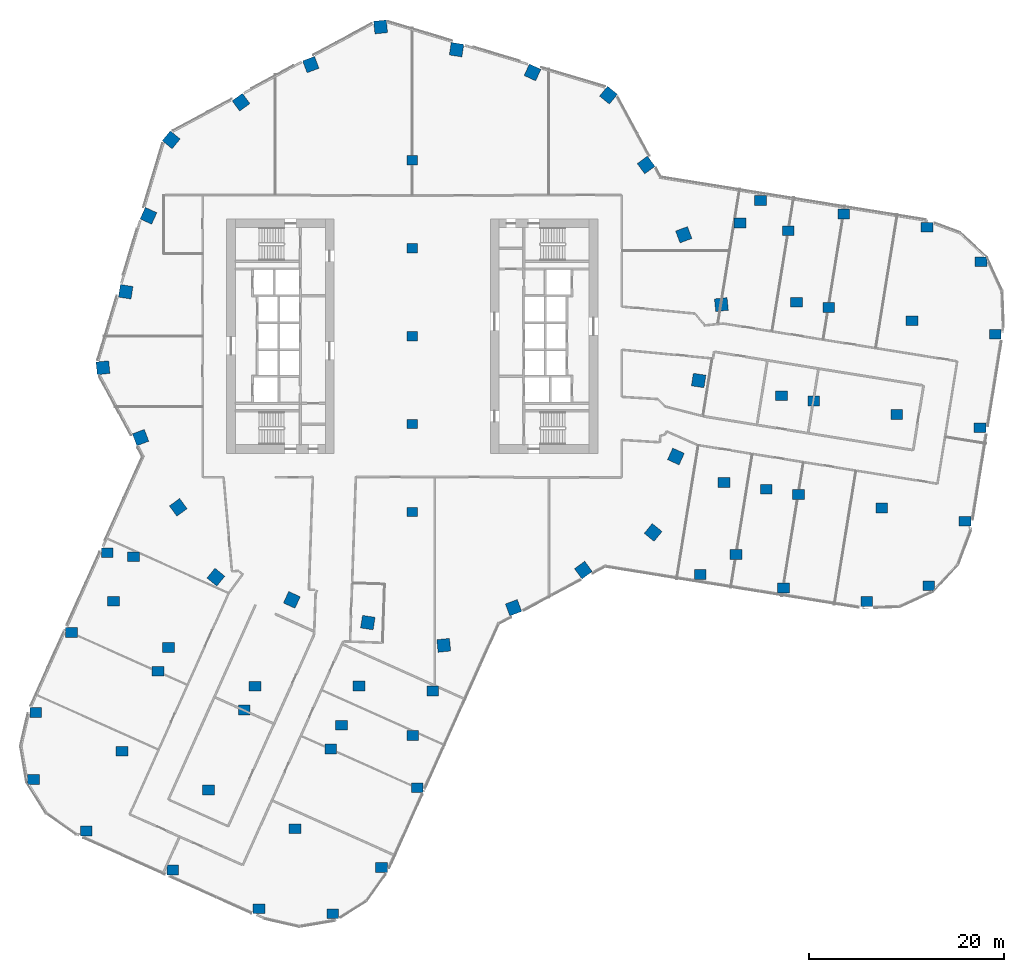
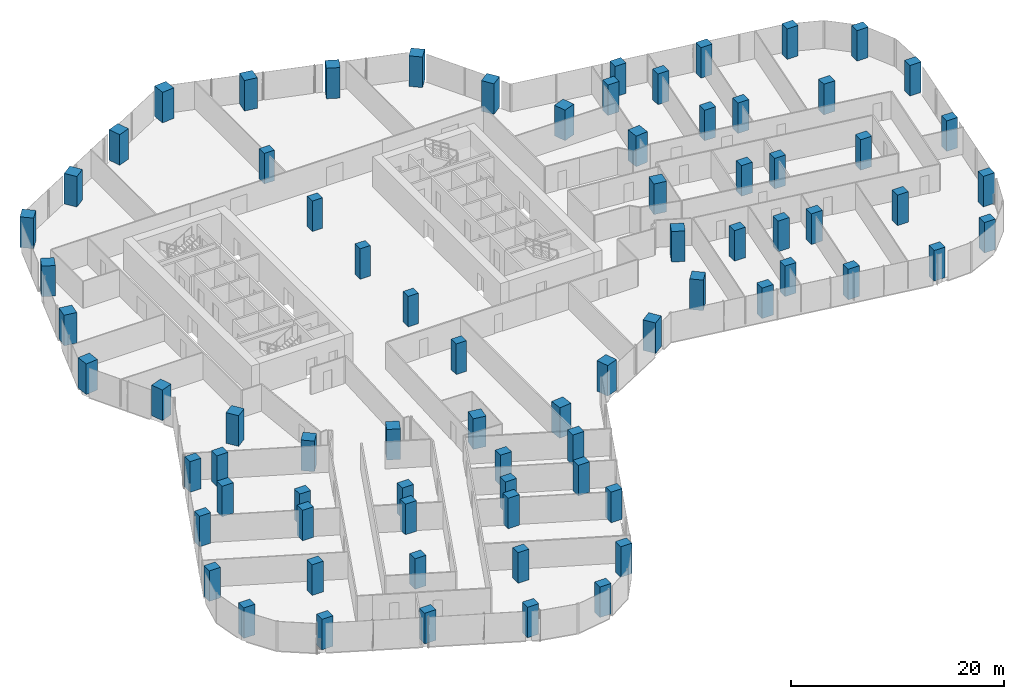
# One storey, part 1 of 34: 77 columns.
"""IFC4 building model written with IfcOpenShell, lengths in metres."""

from ifc_helpers import new_model, si_unit, direction, frame, origin, origin_2d, place, context, subcontext, project, spatial, rectangle, extrude, material, material_profile, profile_set, type_object, element, save


model = new_model("IFC4")

# Units and contexts
model_context = context("Model", 3, precision=1e-05, world=origin(), true_north=direction((0.0, 1.0)))
body_context = subcontext(model_context, "Body", "Model", "MODEL_VIEW")
ifc_project = project(units=[si_unit("LENGTHUNIT", "METRE"), si_unit("AREAUNIT", "SQUARE_METRE"), si_unit("VOLUMEUNIT", "CUBIC_METRE"), si_unit("PLANEANGLEUNIT", "RADIAN"), si_unit("MASSUNIT", "GRAM", prefix="KILO")], contexts=[model_context])

# Site, building, storey
site_placement = place(None, origin())
site = spatial("IfcSite", under=ifc_project, at=site_placement, CompositionType="ELEMENT")
building_placement = place(site_placement, origin())
building = spatial("IfcBuilding", under=site, at=building_placement, Name="Orlundy Tower", CompositionType="ELEMENT")
storey_placement = place(building_placement, frame((0.0, 0.0, 127.199951171875)))
storey = spatial("IfcBuildingStorey", under=building, at=storey_placement, Name="L32", CompositionType="ELEMENT", Elevation=127.199951171875)

# Columns
ifc_material_1 = material(Name="Concrete C80/95", Category="concrete")
ifc_material_profile_1 = material_profile(ifc_material_1, rectangle(XDim=1.10009765625, YDim=0.949951171875, at=origin_2d()), Name="RC1100X950")
ifc_profile_set_1 = profile_set([ifc_material_profile_1], Name="Concrete C80/95")
column_type_1 = type_object("IfcColumnType", Name="RC COLUMN RC1100X950 C80/95", PredefinedType="COLUMN", material=ifc_profile_set_1)
for number, where, z_axis, x_axis, name in (
    (1, (0.0, -18.0, 0.0), (0.0, 0.0, 1.0), (1.0, 0.0, 0.0), "Column C-M1 L32"),
    (2, (0.0, -9.0, 0.0), (0.0, 0.0, 1.0), (1.0, 0.0, 0.0), "Column C-M2 L32"),
    (3, (0.0, 0.0, 0.0), (0.0, 0.0, 1.0), (1.0, 0.0, 0.0), "Column C-M3 L32"),
    (4, (0.0, 9.0, 0.0), (0.0, 0.0, 1.0), (1.0, 0.0, 0.0), "Column C-M4 L32"),
    (5, (0.0, 18.0, 0.0), (0.0, 0.0, 1.0), (1.0, 0.0, 0.0), "Column C-M5 L32"),
):
    element("IfcColumn", number, at=place(storey_placement, frame(where, z_axis=z_axis, x_axis=x_axis)), inside=storey, type_object=column_type_1, Name=name, PredefinedType="COLUMN", context=body_context, shape_type="SweptSolid", body=[
        extrude(rectangle(XDim=1.10009765625, YDim=0.949951171875, at=origin_2d()), origin(), (0.0, 0.0, 1.0), 3.5),
    ])
ifc_material_2 = material(Name="Concrete C80/95", Category="concrete")
ifc_material_profile_2 = material_profile(ifc_material_2, rectangle(XDim=1.199951171875, YDim=1.0, at=origin_2d()), Name="RC1200X1000")
ifc_profile_set_2 = profile_set([ifc_material_profile_2], Name="Concrete C80/95")
column_type_2 = type_object("IfcColumnType", Name="RC COLUMN RC1200X1000 C80/95", PredefinedType="COLUMN", material=ifc_profile_set_2)
for number, where, z_axis, x_axis, name in (
    (6, (29.488037109375, -24.408935546875, 0.0), (0.0, 0.0, 1.0), (1.0, 0.0, 0.0), "Column C-A1-1 L32"),
    (7, (38.010986328125, -25.784912109375, 0.0), (0.0, 0.0, 1.0), (1.0, 0.0, 0.0), "Column C-A1-2 L32"),
    (8, (46.534912109375, -27.156005859375, 0.0), (0.0, 0.0, 1.0), (1.0, 0.0, 0.0), "Column C-A1-3 L32"),
    (9, (52.89892578125, -25.547119140625, 0.0), (0.0, 0.0, 1.0), (1.0, 0.0, 0.0), "Column C-A1-5 L32"),
    (10, (33.154052734375, -22.361083984375, 0.0), (0.0, 0.0, 1.0), (1.0, 0.0, 0.0), "Column C-A1-6 L32"),
    (11, (39.555908203125, -16.208984375, 0.0), (0.0, 0.0, 1.0), (1.0, 0.0, 0.0), "Column C-A2-2 L32"),
    (12, (48.0791015625, -17.583984375, 0.0), (0.0, 0.0, 1.0), (1.0, 0.0, 0.0), "Column C-A2-3 L32"),
    (13, (56.60302734375, -18.958984375, 0.0), (0.0, 0.0, 1.0), (1.0, 0.0, 0.0), "Column C-A2-5 L32"),
    (14, (36.26611328125, -15.677978515625, 0.0), (0.0, 0.0, 1.0), (1.0, 0.0, 0.0), "Column C-A2-6 L32"),
    (15, (31.922119140625, -14.97705078125, 0.0), (0.0, 0.0, 1.0), (1.0, 0.0, 0.0), "Column C-A2-7 L32"),
    (16, (41.10205078125, -6.632080078125, 0.0), (0.0, 0.0, 1.0), (1.0, 0.0, 0.0), "Column C-A3-2 L32"),
    (17, (49.625, -8.008056640625, 0.0), (0.0, 0.0, 1.0), (1.0, 0.0, 0.0), "Column C-A3-3 L32"),
    (18, (58.14794921875, -9.383056640625, 0.0), (0.0, 0.0, 1.0), (1.0, 0.0, 0.0), "Column C-A3-5 L32"),
    (19, (37.81103515625, -6.10107421875, 0.0), (0.0, 0.0, 1.0), (1.0, 0.0, 0.0), "Column C-A3-6 L32"),
    (20, (42.64697265625, 2.944091796875, 0.0), (0.0, 0.0, 1.0), (1.0, 0.0, 0.0), "Column C-A4-2 L32"),
    (21, (51.169921875, 1.568115234375, 0.0), (0.0, 0.0, 1.0), (1.0, 0.0, 0.0), "Column C-A4-3 L32"),
    (22, (59.693115234375, 0.193115234375, 0.0), (0.0, 0.0, 1.0), (1.0, 0.0, 0.0), "Column C-A4-5 L32"),
    (23, (39.35595703125, 3.47509765625, 0.0), (0.0, 0.0, 1.0), (1.0, 0.0, 0.0), "Column C-A4-6 L32"),
    (24, (35.6689453125, 13.89501953125, 0.0), (0.0, 0.0, 1.0), (1.0, 0.0, 0.0), "Column C-A5-1 L32"),
    (25, (44.19189453125, 12.52001953125, 0.0), (0.0, 0.0, 1.0), (1.0, 0.0, 0.0), "Column C-A5-2 L32"),
    (26, (52.715087890625, 11.139892578125, 0.0), (0.0, 0.0, 1.0), (1.0, 0.0, 0.0), "Column C-A5-3 L32"),
    (27, (58.25, 7.611083984375, 0.0), (0.0, 0.0, 1.0), (1.0, 0.0, 0.0), "Column C-A5-5 L32"),
    (28, (38.5048828125, 10.797119140625, 0.0), (0.0, 0.0, 1.0), (1.0, 0.0, 0.0), "Column C-A5-6 L32"),
    (29, (33.569091796875, 11.593994140625, 0.0), (0.0, 0.0, 1.0), (1.0, 0.0, 0.0), "Column C-A5-7 L32"),
    (30, (-31.2099609375, -22.166015625, 0.0), (0.0, 0.0, 1.0), (1.0, 0.0, 0.0), "Column C-B1-1 L32"),
    (31, (-34.881103515625, -30.345947265625, 0.0), (0.0, 0.0, 1.0), (1.0, 0.0, 0.0), "Column C-B1-2 L32"),
    (32, (-38.551025390625, -38.527099609375, 0.0), (0.0, 0.0, 1.0), (1.0, 0.0, 0.0), "Column C-B1-3 L32"),
    (33, (-38.777099609375, -45.39697265625, 0.0), (0.0, 0.0, 1.0), (1.0, 0.0, 0.0), "Column C-B1-5 L32"),
    (34, (-30.589111328125, -27.14990234375, 0.0), (0.0, 0.0, 1.0), (1.0, 0.0, 0.0), "Column C-B1-6 L32"),
    (35, (-28.5419921875, -22.587890625, 0.0), (0.0, 0.0, 1.0), (1.0, 0.0, 0.0), "Column C-B1-7 L32"),
    (36, (-26.031005859375, -34.318115234375, 0.0), (0.0, 0.0, 1.0), (1.0, 0.0, 0.0), "Column C-B2-2 L32"),
    (37, (-29.701904296875, -42.498046875, 0.0), (0.0, 0.0, 1.0), (1.0, 0.0, 0.0), "Column C-B2-3 L32"),
    (38, (-33.3720703125, -50.678955078125, 0.0), (0.0, 0.0, 1.0), (1.0, 0.0, 0.0), "Column C-B2-5 L32"),
    (39, (-24.93896484375, -31.885009765625, 0.0), (0.0, 0.0, 1.0), (1.0, 0.0, 0.0), "Column C-B2-6 L32"),
    (40, (-17.180908203125, -38.2890625, 0.0), (0.0, 0.0, 1.0), (1.0, 0.0, 0.0), "Column C-B3-2 L32"),
    (41, (-20.85205078125, -46.468994140625, 0.0), (0.0, 0.0, 1.0), (1.0, 0.0, 0.0), "Column C-B3-3 L32"),
    (42, (-24.52294921875, -54.64990234375, 0.0), (0.0, 0.0, 1.0), (1.0, 0.0, 0.0), "Column C-B3-5 L32"),
    (43, (-16.089111328125, -35.85595703125, 0.0), (0.0, 0.0, 1.0), (1.0, 0.0, 0.0), "Column C-B3-6 L32"),
    (44, (-8.3310546875, -42.260009765625, 0.0), (0.0, 0.0, 1.0), (1.0, 0.0, 0.0), "Column C-B4-2 L32"),
    (45, (-12.001953125, -50.44091796875, 0.0), (0.0, 0.0, 1.0), (1.0, 0.0, 0.0), "Column C-B4-3 L32"),
    (46, (-15.673095703125, -58.62109375, 0.0), (0.0, 0.0, 1.0), (1.0, 0.0, 0.0), "Column C-B4-5 L32"),
    (47, (-7.239013671875, -39.826904296875, 0.0), (0.0, 0.0, 1.0), (1.0, 0.0, 0.0), "Column C-B4-6 L32"),
    (48, (-5.43798828125, -35.81201171875, 0.0), (0.0, 0.0, 1.0), (1.0, 0.0, 0.0), "Column C-B4-7 L32"),
    (49, (0.51904296875, -46.23095703125, 0.0), (0.0, 0.0, 1.0), (1.0, 0.0, 0.0), "Column C-B5-2 L32"),
    (50, (-3.152099609375, -54.412109375, 0.0), (0.0, 0.0, 1.0), (1.0, 0.0, 0.0), "Column C-B5-3 L32"),
    (51, (-8.134033203125, -59.14697265625, 0.0), (0.0, 0.0, 1.0), (1.0, 0.0, 0.0), "Column C-B5-5 L32"),
    (52, (0.053955078125, -40.89990234375, 0.0), (0.0, 0.0, 1.0), (1.0, 0.0, 0.0), "Column C-B5-6 L32"),
    (53, (2.10107421875, -36.337890625, 0.0), (0.0, 0.0, 1.0), (1.0, 0.0, 0.0), "Column C-B5-7 L32"),
):
    element("IfcColumn", number, at=place(storey_placement, frame(where, z_axis=z_axis, x_axis=x_axis)), inside=storey, type_object=column_type_2, Name=name, PredefinedType="COLUMN", context=body_context, shape_type="SweptSolid", body=[
        extrude(rectangle(XDim=1.199951171875, YDim=1.0, at=origin_2d()), origin(), (0.0, 0.0, 1.0), 3.5),
    ])
ifc_material_3 = material(Name="Concrete C80/95", Category="concrete")
ifc_material_profile_3 = material_profile(ifc_material_3, rectangle(XDim=1.300048828125, YDim=1.300048828125, at=origin_2d()), Name="RC1300X1300")
ifc_profile_set_3 = profile_set([ifc_material_profile_3], Name="Concrete C80/95")
column_type_3 = type_object("IfcColumnType", Name="RC COLUMN RC1300X1300 C80/95", PredefinedType="COLUMN", material=ifc_profile_set_3)
for number, where, z_axis, x_axis, name in (
    (54, (20.097900390625, 24.672119140625, 0.0), (0.0, 0.0, 1.0), (0.631582861875, 0.775308382894, 0.0), "Column C-H01 L32"),
    (55, (23.950927734375, 17.52587890625, 0.0), (0.0, 0.0, 1.0), (0.807011849138, 0.590535244799, 0.0), "Column C-H02 L32"),
    (56, (27.803955078125, 10.3798828125, 0.0), (0.0, 0.0, 1.0), (0.936843221006, 0.349749595075, 0.0), "Column C-H03 L32"),
    (57, (31.657958984375, 3.23388671875, 0.0), (0.0, 0.0, 1.0), (0.994822339568, 0.101629290543, 0.0), "Column C-H04 L32"),
    (58, (29.3291015625, -4.54296875, 0.0), (0.0, 0.0, 1.0), (0.988215027151, -0.153072074896, 0.0), "Column C-H05 L32"),
    (59, (27.0009765625, -12.321044921875, 0.0), (0.0, 0.0, 1.0), (0.909758504877, -0.415137884087, 0.0), "Column C-H06 L32"),
    (60, (24.672119140625, -20.097900390625, 0.0), (0.0, 0.0, 1.0), (0.775308382894, -0.631582861875, 0.0), "Column C-H07 L32"),
    (61, (17.52587890625, -23.950927734375, 0.0), (0.0, 0.0, 1.0), (0.590535244799, -0.807011849138, 0.0), "Column C-H08 L32"),
    (62, (10.3798828125, -27.803955078125, 0.0), (0.0, 0.0, 1.0), (0.349749595075, -0.936843221006, 0.0), "Column C-H09 L32"),
    (63, (3.23388671875, -31.657958984375, 0.0), (0.0, 0.0, 1.0), (0.101629290543, -0.994822339568, 0.0), "Column C-H10 L32"),
    (64, (-4.54296875, -29.3291015625, 0.0), (0.0, 0.0, 1.0), (-0.153072074896, -0.988215027151, 0.0), "Column C-H11 L32"),
    (65, (-12.321044921875, -27.0009765625, 0.0), (0.0, 0.0, 1.0), (-0.415137884087, -0.909758504877, 0.0), "Column C-H12 L32"),
    (66, (-20.097900390625, -24.672119140625, 0.0), (0.0, 0.0, 1.0), (-0.631582861875, -0.775308382894, 0.0), "Column C-H13 L32"),
    (67, (-23.950927734375, -17.52587890625, 0.0), (0.0, 0.0, 1.0), (-0.807011849138, -0.590535244799, 0.0), "Column C-H14 L32"),
    (68, (-27.803955078125, -10.3798828125, 0.0), (0.0, 0.0, 1.0), (-0.936843221006, -0.349749595075, 0.0), "Column C-H15 L32"),
    (69, (-31.657958984375, -3.23388671875, 0.0), (0.0, 0.0, 1.0), (-0.994822339568, -0.101629290543, 0.0), "Column C-H16 L32"),
    (70, (-29.3291015625, 4.54296875, 0.0), (0.0, 0.0, 1.0), (-0.988215027151, 0.153072074896, 0.0), "Column C-H17 L32"),
    (71, (-27.0009765625, 12.321044921875, 0.0), (0.0, 0.0, 1.0), (-0.909758504877, 0.415137884087, 0.0), "Column C-H18 L32"),
    (72, (-24.672119140625, 20.097900390625, 0.0), (0.0, 0.0, 1.0), (-0.775308382894, 0.631582861875, 0.0), "Column C-H19 L32"),
    (73, (-17.52587890625, 23.950927734375, 0.0), (0.0, 0.0, 1.0), (-0.590535244799, 0.807011849138, 0.0), "Column C-H20 L32"),
    (74, (-10.3798828125, 27.803955078125, 0.0), (0.0, 0.0, 1.0), (-0.349749595075, 0.936843221006, 0.0), "Column C-H21 L32"),
    (75, (-3.23388671875, 31.657958984375, 0.0), (0.0, 0.0, 1.0), (-0.101629290543, 0.994822339568, 0.0), "Column C-H22 L32"),
    (76, (4.54296875, 29.3291015625, 0.0), (0.0, 0.0, 1.0), (0.153072074896, 0.988215027151, 0.0), "Column C-H23 L32"),
    (77, (12.321044921875, 27.0009765625, 0.0), (0.0, 0.0, 1.0), (0.415137884087, 0.909758504877, 0.0), "Column C-H24 L32"),
):
    element("IfcColumn", number, at=place(storey_placement, frame(where, z_axis=z_axis, x_axis=x_axis)), inside=storey, type_object=column_type_3, Name=name, PredefinedType="COLUMN", context=body_context, shape_type="SweptSolid", body=[
        extrude(rectangle(XDim=1.300048828125, YDim=1.300048828125, at=origin_2d()), origin(), (0.0, 0.0, 1.0), 3.5),
    ])

save(model, "model.ifc")
